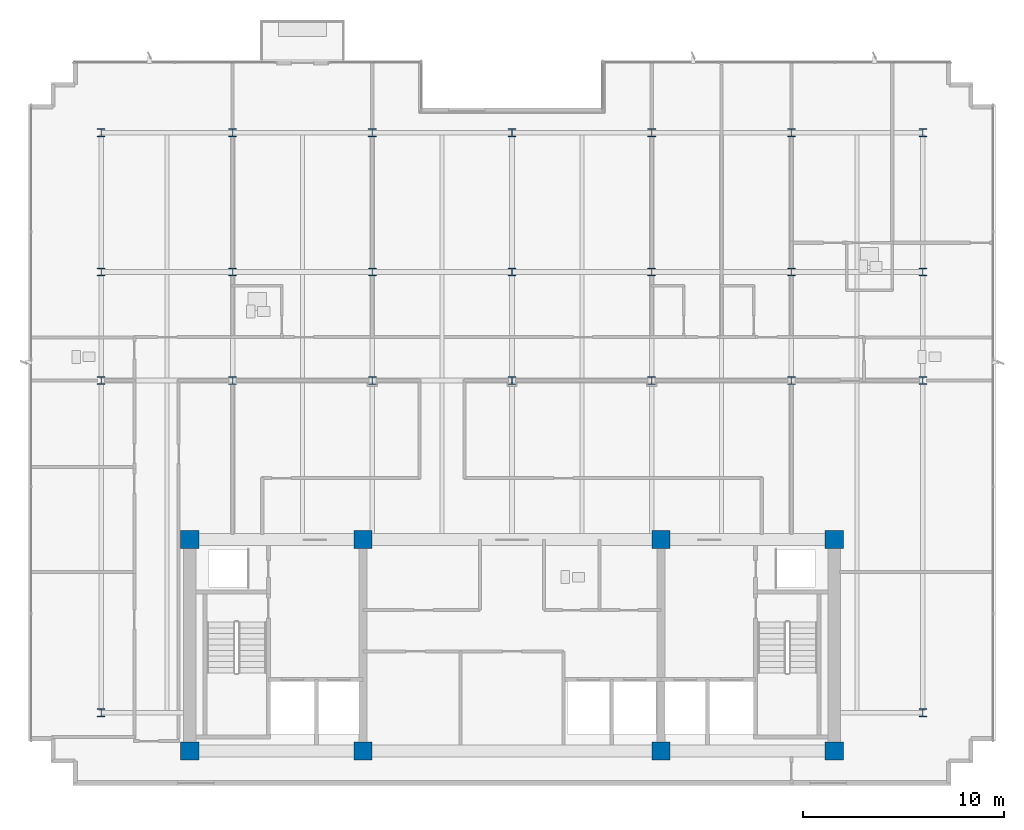
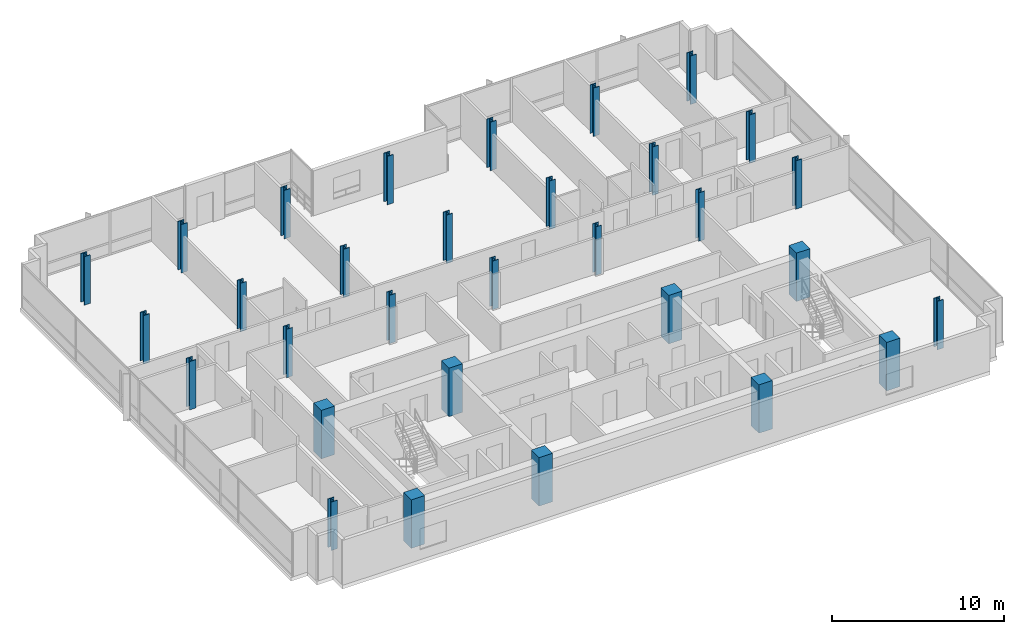
# One storey, part 1 of 17: 31 columns.
"""IFC4 building model written with IfcOpenShell, lengths in metres."""

from ifc_helpers import new_model, si_unit, direction, frame, origin, origin_2d, place, context, subcontext, project, spatial, rectangle, i_section, extrude, material, material_profile, profile_set, type_object, element, save


model = new_model("IFC4")

# Units and contexts
model_context = context("Model", 3, precision=1e-05, world=origin(), true_north=direction((0.0, 1.0)))
body_context = subcontext(model_context, "Body", "Model", "MODEL_VIEW")
ifc_project = project(units=[si_unit("LENGTHUNIT", "METRE"), si_unit("AREAUNIT", "SQUARE_METRE"), si_unit("VOLUMEUNIT", "CUBIC_METRE"), si_unit("PLANEANGLEUNIT", "RADIAN"), si_unit("MASSUNIT", "GRAM", prefix="KILO")], contexts=[model_context])

# Site, building, storey
site_placement = place(None, origin())
site = spatial("IfcSite", under=ifc_project, at=site_placement, CompositionType="ELEMENT")
building_placement = place(site_placement, origin())
building = spatial("IfcBuilding", under=site, at=building_placement, Name="Solmavex Isthmus Hotel", CompositionType="ELEMENT")
storey_placement = place(building_placement, frame((0.0, 0.0, 266.10009765625)))
storey = spatial("IfcBuildingStorey", under=building, at=storey_placement, Name="L72", CompositionType="ELEMENT", Elevation=266.10009765625)

# Columns
ifc_material_1 = material(Name="Concrete C50/60", Category="concrete")
ifc_material_profile_1 = material_profile(ifc_material_1, rectangle(XDim=0.89990234375, YDim=0.89990234375, at=origin_2d()), Name="RC900X900")
ifc_profile_set_1 = profile_set([ifc_material_profile_1], Name="Concrete C50/60")
column_type_1 = type_object("IfcColumnType", Name="COL-CC-900", PredefinedType="COLUMN", material=ifc_profile_set_1)
for number, where, z_axis, x_axis, name in (
    (1, (-16.0, -13.0, 0.0), (0.0, 0.0, 1.0), (1.0, 0.0, 0.0), "Core Pilaster CC-SW L72"),
    (2, (-7.39990234375, -13.0, 0.0), (0.0, 0.0, 1.0), (1.0, 0.0, 0.0), "Core Pilaster CC-S1 L72"),
    (3, (7.39990234375, -13.0, 0.0), (0.0, 0.0, 1.0), (1.0, 0.0, 0.0), "Core Pilaster CC-S2 L72"),
    (4, (16.0, -13.0, 0.0), (0.0, 0.0, 1.0), (1.0, 0.0, 0.0), "Core Pilaster CC-SE L72"),
    (5, (-16.0, -2.5, 0.0), (0.0, 0.0, 1.0), (1.0, 0.0, 0.0), "Core Pilaster CC-NW L72"),
    (6, (-7.39990234375, -2.5, 0.0), (0.0, 0.0, 1.0), (1.0, 0.0, 0.0), "Core Pilaster CC-N1 L72"),
    (7, (7.39990234375, -2.5, 0.0), (0.0, 0.0, 1.0), (1.0, 0.0, 0.0), "Core Pilaster CC-N2 L72"),
    (8, (16.0, -2.5, 0.0), (0.0, 0.0, 1.0), (1.0, 0.0, 0.0), "Core Pilaster CC-NE L72"),
):
    element("IfcColumn", number, at=place(storey_placement, frame(where, z_axis=z_axis, x_axis=x_axis)), inside=storey, type_object=column_type_1, Name=name, PredefinedType="COLUMN", context=body_context, shape_type="SweptSolid", body=[
        extrude(rectangle(XDim=0.89990234375, YDim=0.89990234375, at=origin_2d()), origin(), (0.0, 0.0, 1.0), 3.449951171875),
    ])
ifc_material_2 = material(Name="Steel ASTM A913 Grade 65", Category="steel")
ifc_material_profile_2 = material_profile(ifc_material_2, i_section(OverallWidth=0.4013671875, OverallDepth=0.3994140625, WebThickness=0.02490234375, FlangeThickness=0.03955078125, FilletRadius=0.030517578125, at=origin_2d()), Name="W14X211")
ifc_profile_set_2 = profile_set([ifc_material_profile_2], Name="Steel ASTM A913 Grade 65")
column_type_2 = type_object("IfcColumnType", Name="COL-SC-W14X211", PredefinedType="COLUMN", material=ifc_profile_set_2)
for number, where, z_axis, x_axis, name in (
    (9, (-13.8720703125, 5.39990234375, 0.0), (0.0, 0.0, 1.0), (1.0, 0.0, 0.0), "Tower Column B5-U2V2 L72"),
    (10, (-13.8720703125, 10.7880859375, 0.0), (0.0, 0.0, 1.0), (1.0, 0.0, 0.0), "Tower Column B5-U2V3 L72"),
    (11, (-6.93603515625, 5.39990234375, 0.0), (0.0, 0.0, 1.0), (1.0, 0.0, 0.0), "Tower Column B5-U3V2 L72"),
    (12, (-6.93603515625, 10.7880859375, 0.0), (0.0, 0.0, 1.0), (1.0, 0.0, 0.0), "Tower Column B5-U3V3 L72"),
    (13, (0.0, 5.39990234375, 0.0), (0.0, 0.0, 1.0), (1.0, 0.0, 0.0), "Tower Column B5-U4V2 L72"),
    (14, (0.0, 10.7880859375, 0.0), (0.0, 0.0, 1.0), (1.0, 0.0, 0.0), "Tower Column B5-U4V3 L72"),
    (15, (6.93603515625, 5.39990234375, 0.0), (0.0, 0.0, 1.0), (1.0, 0.0, 0.0), "Tower Column B5-U5V2 L72"),
    (16, (6.93603515625, 10.7880859375, 0.0), (0.0, 0.0, 1.0), (1.0, 0.0, 0.0), "Tower Column B5-U5V3 L72"),
    (17, (13.8720703125, 5.39990234375, 0.0), (0.0, 0.0, 1.0), (1.0, 0.0, 0.0), "Tower Column B5-U6V2 L72"),
    (18, (13.8720703125, 10.7880859375, 0.0), (0.0, 0.0, 1.0), (1.0, 0.0, 0.0), "Tower Column B5-U6V3 L72"),
):
    element("IfcColumn", number, at=place(storey_placement, frame(where, z_axis=z_axis, x_axis=x_axis)), inside=storey, type_object=column_type_2, Name=name, PredefinedType="COLUMN", context=body_context, shape_type="SweptSolid", body=[
        extrude(i_section(OverallWidth=0.4013671875, OverallDepth=0.3994140625, WebThickness=0.02490234375, FlangeThickness=0.03955078125, FilletRadius=0.030517578125, at=origin_2d()), origin(), (0.0, 0.0, 1.0), 3.449951171875),
    ])
ifc_material_profile_3 = material_profile(ifc_material_2, i_section(OverallWidth=0.40625, OverallDepth=0.416015625, WebThickness=0.02978515625, FlangeThickness=0.048095703125, FilletRadius=0.030517578125, at=origin_2d()), Name="W14X257")
ifc_profile_set_3 = profile_set([ifc_material_profile_3], Name="Steel ASTM A913 Grade 65")
column_type_3 = type_object("IfcColumnType", Name="COL-SC-W14X257", PredefinedType="COLUMN", material=ifc_profile_set_3)
for number, where, z_axis, x_axis, name in (
    (19, (-20.39990234375, -11.10009765625, 0.0), (0.0, 0.0, 1.0), (1.0, 0.0, 0.0), "Tower Column B5-U1V1 L72"),
    (20, (-20.39990234375, 5.39990234375, 0.0), (0.0, 0.0, 1.0), (1.0, 0.0, 0.0), "Tower Column B5-U1V2 L72"),
    (21, (-20.39990234375, 10.7880859375, 0.0), (0.0, 0.0, 1.0), (1.0, 0.0, 0.0), "Tower Column B5-U1V3 L72"),
    (22, (-20.39990234375, 17.699951171875, 0.0), (0.0, 0.0, 1.0), (1.0, 0.0, 0.0), "Tower Column B5-U1V4 L72"),
    (23, (-13.8720703125, 17.699951171875, 0.0), (0.0, 0.0, 1.0), (1.0, 0.0, 0.0), "Tower Column B5-U2V4 L72"),
    (24, (-6.93603515625, 17.699951171875, 0.0), (0.0, 0.0, 1.0), (1.0, 0.0, 0.0), "Tower Column B5-U3V4 L72"),
    (25, (0.0, 17.699951171875, 0.0), (0.0, 0.0, 1.0), (1.0, 0.0, 0.0), "Tower Column B5-U4V4 L72"),
    (26, (6.93603515625, 17.699951171875, 0.0), (0.0, 0.0, 1.0), (1.0, 0.0, 0.0), "Tower Column B5-U5V4 L72"),
    (27, (13.8720703125, 17.699951171875, 0.0), (0.0, 0.0, 1.0), (1.0, 0.0, 0.0), "Tower Column B5-U6V4 L72"),
    (28, (20.39990234375, -11.10009765625, 0.0), (0.0, 0.0, 1.0), (1.0, 0.0, 0.0), "Tower Column B5-U7V1 L72"),
    (29, (20.39990234375, 5.39990234375, 0.0), (0.0, 0.0, 1.0), (1.0, 0.0, 0.0), "Tower Column B5-U7V2 L72"),
    (30, (20.39990234375, 10.7880859375, 0.0), (0.0, 0.0, 1.0), (1.0, 0.0, 0.0), "Tower Column B5-U7V3 L72"),
    (31, (20.39990234375, 17.699951171875, 0.0), (0.0, 0.0, 1.0), (1.0, 0.0, 0.0), "Tower Column B5-U7V4 L72"),
):
    element("IfcColumn", number, at=place(storey_placement, frame(where, z_axis=z_axis, x_axis=x_axis)), inside=storey, type_object=column_type_3, Name=name, PredefinedType="COLUMN", context=body_context, shape_type="SweptSolid", body=[
        extrude(i_section(OverallWidth=0.40625, OverallDepth=0.416015625, WebThickness=0.02978515625, FlangeThickness=0.048095703125, FilletRadius=0.030517578125, at=origin_2d()), origin(), (0.0, 0.0, 1.0), 3.449951171875),
    ])

save(model, "model.ifc")
